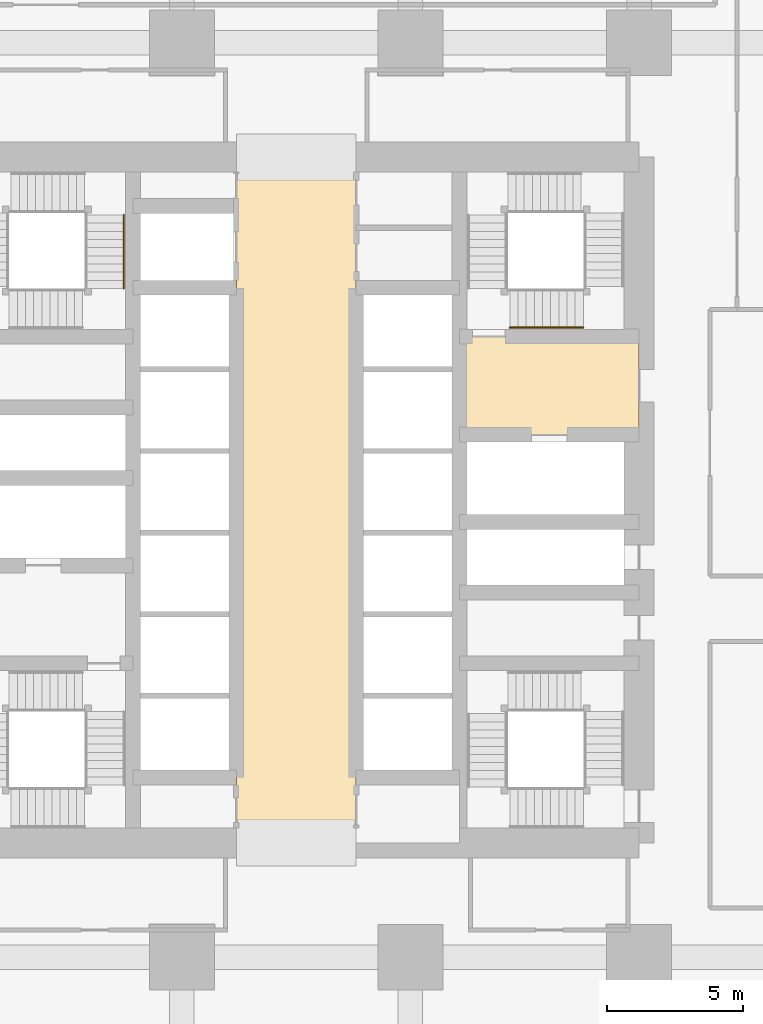
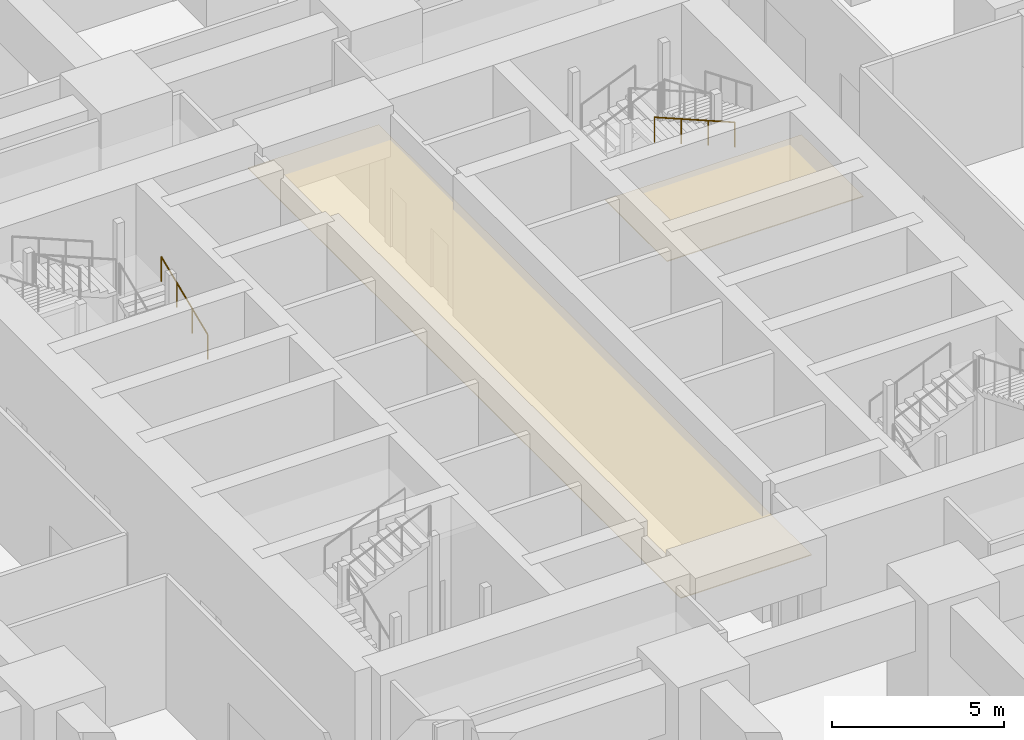
# One storey, part 47 of 49: 2 coverings, 2 railings.
"""IFC4 building model written with IfcOpenShell, lengths in metres."""

from ifc_helpers import new_model, si_unit, direction, frame, origin, origin_2d, place, context, subcontext, project, spatial, polyline, circle, outline, extrude, material, layer, layer_set, type_object, element, save


model = new_model("IFC4")

# Units and contexts
model_context = context("Model", 3, precision=1e-05, world=origin(), true_north=direction((0.0, 1.0)))
body_context = subcontext(model_context, "Body", "Model", "MODEL_VIEW")
ifc_project = project(units=[si_unit("LENGTHUNIT", "METRE"), si_unit("AREAUNIT", "SQUARE_METRE"), si_unit("VOLUMEUNIT", "CUBIC_METRE"), si_unit("PLANEANGLEUNIT", "RADIAN"), si_unit("MASSUNIT", "GRAM", prefix="KILO")], contexts=[model_context])

# Site, building, storey
site_placement = place(None, origin())
site = spatial("IfcSite", under=ifc_project, at=site_placement, CompositionType="ELEMENT")
building_placement = place(site_placement, origin())
building = spatial("IfcBuilding", under=site, at=building_placement, Name="Rekha Terrace Tower", CompositionType="ELEMENT")
storey_placement = place(building_placement, frame((0.0, 0.0, 10.39990234375)))
storey = spatial("IfcBuildingStorey", under=building, at=storey_placement, Name="L02", CompositionType="ELEMENT", Elevation=10.39990234375)

# Coverings
ifc_material_1 = material(Name="Powder-coated aluminium pan", Category="aluminium")
ifc_layer = layer(ifc_material_1, 0.030029296875)
ifc_layer_set = layer_set([ifc_layer], Name="Powder-coated aluminium pan")
covering_type = type_object("IfcCoveringType", Name="CL3 300x1200 metal pan ceiling", PredefinedType="CEILING", material=ifc_layer_set)
covering_1_placement = place(storey_placement, frame((0.0, 0.0, 3.77001953125)))
element("IfcCovering", 1, at=covering_1_placement, inside=storey, type_object=covering_type, Name="Ceiling L02-LOBBY", PredefinedType="CEILING", context=body_context, shape_type="SweptSolid", body=[
    extrude(outline(polyline([(40.0, 46.199951171875), (35.60009765625, 46.199951171875), (35.60009765625, 21.0), (40.0, 21.0), (40.0, 46.199951171875)])), origin(), (0.0, 0.0, 1.0), 0.030029296875),
])
covering_2_placement = place(storey_placement, frame((0.0, 0.0, 3.77001953125)))
element("IfcCovering", 2, at=covering_2_placement, inside=storey, type_object=covering_type, Name="Ceiling L02-FLB2", PredefinedType="CEILING", context=body_context, shape_type="SweptSolid", body=[
    extrude(outline(polyline([(50.39990234375, 39.60009765625), (43.800048828125, 39.60009765625), (43.800048828125, 36.0), (50.39990234375, 36.0), (50.39990234375, 39.60009765625)])), origin(), (0.0, 0.0, 1.0), 0.030029296875),
])

# Railings
ifc_material_2 = material(Name="Stainless steel tube", Category="steel")
railing_type = type_object("IfcRailingType", Name="HR1 900 stair handrail", PredefinedType="HANDRAIL", material=ifc_material_2)
railing_1_placement = place(storey_placement, frame((48.35009765625, 39.93505859375, 3.875)))
element("IfcRailing", 3, at=railing_1_placement, inside=storey, type_object=railing_type, Name="Handrail ST2 L02 flight 4", PredefinedType="HANDRAIL", context=body_context, shape_type="SweptSolid", body=[
    extrude(circle(Radius=0.02392578125, at=origin_2d()), frame((0.0, 0.0, 0.8759765625), z_axis=(-0.923086799901, 0.0, 0.38459167938), x_axis=(0.0, -1.0, 0.0)), (0.0, 0.0, 1.0), 2.92529296875),
    extrude(circle(Radius=0.02099609375, at=origin_2d()), origin(), (0.0, 0.0, 1.0), 0.851806640625),
    extrude(circle(Radius=0.02099609375, at=origin_2d()), frame((-0.900146484375, 0.0, 0.375)), (0.0, 0.0, 1.0), 0.851806640625),
    extrude(circle(Radius=0.02099609375, at=origin_2d()), frame((-1.800048828125, 0.0, 0.75)), (0.0, 0.0, 1.0), 0.851806640625),
    extrude(circle(Radius=0.02099609375, at=origin_2d()), frame((-2.7001953125, 0.0, 1.125)), (0.0, 0.0, 1.0), 0.851806640625),
])
railing_2_placement = place(storey_placement, frame((31.465087890625, 41.375, 1.375)))
element("IfcRailing", 4, at=railing_2_placement, inside=storey, type_object=railing_type, Name="Handrail ST4 L02 flight 2", PredefinedType="HANDRAIL", context=body_context, shape_type="SweptSolid", body=[
    extrude(circle(Radius=0.02392578125, at=origin_2d()), frame((0.0, 0.0, 0.8759765625), z_axis=(0.0, 0.923074453586, 0.384621311341), x_axis=(-1.0, 0.0, 0.0)), (0.0, 0.0, 1.0), 2.925048828125),
    extrude(circle(Radius=0.02099609375, at=origin_2d()), origin(), (0.0, 0.0, 1.0), 0.851806640625),
    extrude(circle(Radius=0.02099609375, at=origin_2d()), frame((0.0, 0.89990234375, 0.375)), (0.0, 0.0, 1.0), 0.851806640625),
    extrude(circle(Radius=0.02099609375, at=origin_2d()), frame((0.0, 1.800048828125, 0.75)), (0.0, 0.0, 1.0), 0.851806640625),
    extrude(circle(Radius=0.02099609375, at=origin_2d()), frame((0.0, 2.699951171875, 1.125)), (0.0, 0.0, 1.0), 0.851806640625),
])

save(model, "model.ifc")
